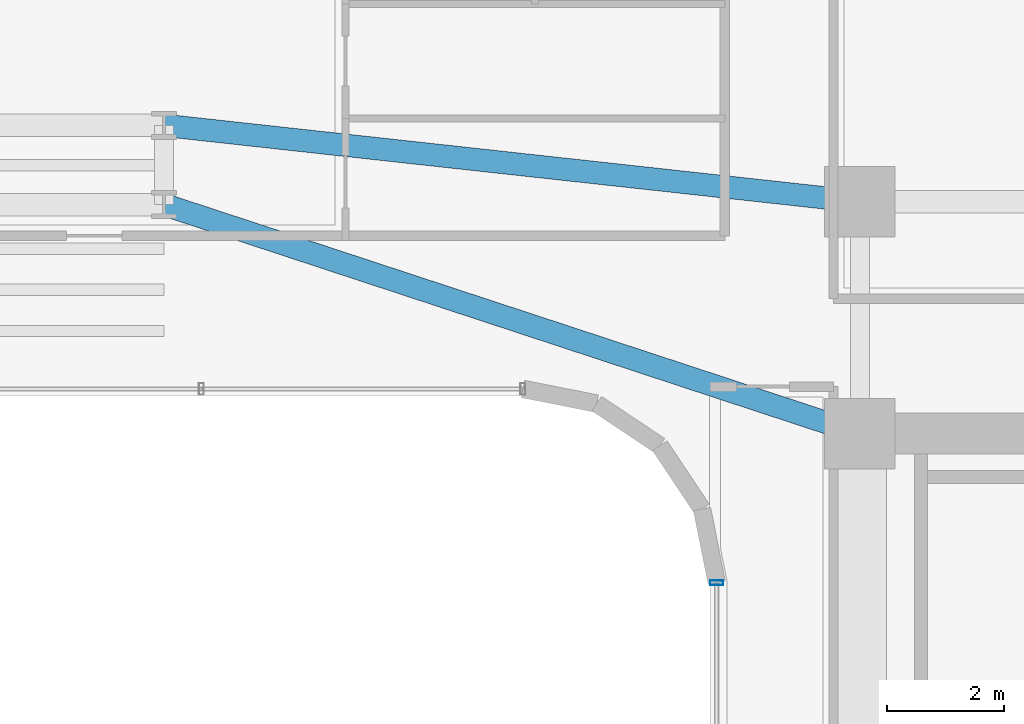
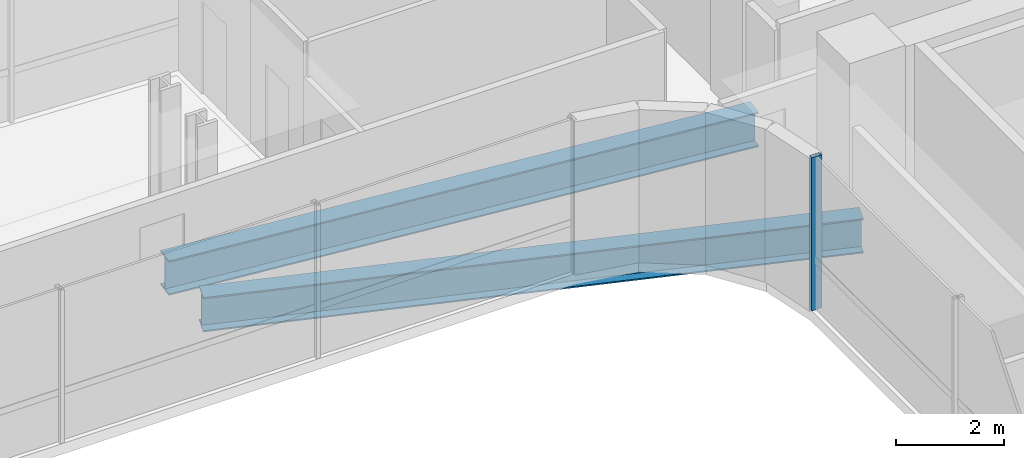
# One storey, part 15 of 35: 2 beams, 1 member, 1 element without a shape of its own.
"""IFC4 building model written with IfcOpenShell, lengths in metres."""

import ifcopenshell
import ifcopenshell.guid

model = None  # the IFC model being written
_history = None  # IfcOwnerHistory: only IFC2X3 demands one
_inside = {}  # id of a spatial element -> (the spatial element, [elements in it])
_under = {}  # id of a project, library or spatial element -> (it, [spatial elements below it])
_declared = {}  # id of a project -> (the project, [libraries it declares])
_typed = {}  # id of a type object -> (the type object, [elements of that type])
_made_of = {}  # id of a material, layer set ... -> (it, [elements and type objects made of it])


def new_model(schema):
    """Start an empty IFC model of exactly this schema.

    Asked for "IFC4X3", IfcOpenShell would pick the latest addendum, in which some entities
    have other attributes; the version numbers below select the first issue.
    IFC2X3 requires an IfcOwnerHistory on every rooted entity: one is made here for all.
    """
    global model, _history
    if schema == "IFC4X3":
        model = ifcopenshell.file(schema_version=(4, 3, 0, 0))
    else:
        model = ifcopenshell.file(schema=schema)
    _inside.clear()
    _under.clear()
    _declared.clear()
    _typed.clear()
    _made_of.clear()
    _history = None
    if model.schema == "IFC2X3":
        org = make("IfcOrganization", Name="unknown")
        user = make(
            "IfcPersonAndOrganization",
            ThePerson=make("IfcPerson", FamilyName="unknown"),
            TheOrganization=org,
        )
        app = make(
            "IfcApplication",
            ApplicationDeveloper=org,
            Version="unknown",
            ApplicationFullName="unknown",
            ApplicationIdentifier="unknown",
        )
        _history = make(
            "IfcOwnerHistory",
            OwningUser=user,
            OwningApplication=app,
            ChangeAction="ADDED",
            CreationDate=0,
        )
    return model


def make(cls, **values):
    """One entity of the class cls with the attributes given. An attribute that is None is left unset."""
    return model.create_entity(
        cls, **{name: value for name, value in values.items() if value is not None}
    )


def rooted(cls, **values):
    """An entity with a GlobalId (a new one), such as an element, a storey or a relation."""
    return make(cls, GlobalId=ifcopenshell.guid.new(), OwnerHistory=_history, **values)


def si_unit(unit_type, name, prefix=None):
    """IfcSIUnit, for example si_unit("LENGTHUNIT", "METRE", prefix="MILLI")."""
    return make("IfcSIUnit", UnitType=unit_type, Prefix=prefix, Name=name)


def assignment(units):
    """IfcUnitAssignment: the units of a project."""
    return None if units is None else make("IfcUnitAssignment", Units=units)


def point(xyz):
    """IfcCartesianPoint."""
    return None if xyz is None else make("IfcCartesianPoint", Coordinates=xyz)


def direction(xyz):
    """IfcDirection."""
    return None if xyz is None else make("IfcDirection", DirectionRatios=xyz)


def frame(location, z_axis=None, x_axis=None):
    """IfcAxis2Placement3D, a coordinate frame: its origin and axes. An axis left out is left unset."""
    return make(
        "IfcAxis2Placement3D",
        Location=point(location),
        Axis=direction(z_axis),
        RefDirection=direction(x_axis),
    )


def frame_2d(location, x_axis=None):
    """IfcAxis2Placement2D, a coordinate frame in the plane: its origin and x axis."""
    return make(
        "IfcAxis2Placement2D", Location=point(location), RefDirection=direction(x_axis)
    )


def origin():
    """The frame at (0, 0, 0) with its axes left unset."""
    return frame((0.0, 0.0, 0.0))


def origin_2d():
    """The frame at (0, 0) in the plane with its x axis left unset."""
    return frame_2d((0.0, 0.0))


def place(relative_to, where):
    """IfcLocalPlacement: puts the frame where relative to a parent placement (None: the world)."""
    return make(
        "IfcLocalPlacement", PlacementRelTo=relative_to, RelativePlacement=where
    )


def context(
    kind, dimensions, precision=None, world=None, true_north=None, identifier=None
):
    """IfcGeometricRepresentationContext, for example the 3D "Model" context."""
    return make(
        "IfcGeometricRepresentationContext",
        ContextIdentifier=identifier,
        ContextType=kind,
        CoordinateSpaceDimension=dimensions,
        Precision=precision,
        WorldCoordinateSystem=world,
        TrueNorth=true_north,
    )


def subcontext(parent, identifier, kind, view, scale=None):
    """IfcGeometricRepresentationSubContext, for example "Body" below "Model"."""
    return make(
        "IfcGeometricRepresentationSubContext",
        ContextIdentifier=identifier,
        ContextType=kind,
        ParentContext=parent,
        TargetScale=scale,
        TargetView=view,
    )


def project(units=None, contexts=None):
    """IfcProject with its units and contexts."""
    return rooted(
        "IfcProject",
        Name="project",
        RepresentationContexts=contexts,
        UnitsInContext=assignment(units),
    )


def spatial(cls, under=None, at=None, **own):
    """A site, building, storey or space (cls), placed at a placement, below another one or the project."""
    s = rooted(cls, ObjectPlacement=at, **own)
    if under is not None:
        _under.setdefault(under.id(), (under, []))[1].append(s)
    return s


def profile(cls, at=None, kind="AREA", **sizes):
    """A parametric profile (cls). Its sizes go by their IFC names, for example OverallWidth=200.0."""
    return make(cls, ProfileType=kind, Position=at, **sizes)


def hollow_rectangle(**sizes):
    """IfcRectangleHollowProfileDef."""
    return profile("IfcRectangleHollowProfileDef", **sizes)


def i_section(**sizes):
    """IfcIShapeProfileDef."""
    return profile("IfcIShapeProfileDef", **sizes)


def extrude(swept, where, along, depth):
    """IfcExtrudedAreaSolid: the profile swept, set in the frame where, extruded along a direction by depth."""
    return make(
        "IfcExtrudedAreaSolid",
        SweptArea=swept,
        Position=where,
        ExtrudedDirection=direction(along),
        Depth=depth,
    )


def shape(context_of_items, identifier, shape_type, items):
    """IfcShapeRepresentation: the items that make up one representation, for example the "Body"."""
    return make(
        "IfcShapeRepresentation",
        ContextOfItems=context_of_items,
        RepresentationIdentifier=identifier,
        RepresentationType=shape_type,
        Items=items,
    )


def source(mapping_origin, context_of_items, identifier, shape_type, items):
    """IfcRepresentationMap: a shape defined once, which mapped items show again and again."""
    return make(
        "IfcRepresentationMap",
        MappingOrigin=mapping_origin,
        MappedRepresentation=shape(context_of_items, identifier, shape_type, items),
    )


def transform(
    local_origin,
    x_axis=None,
    y_axis=None,
    z_axis=None,
    scale=None,
    scale2=None,
    scale3=None,
    uniform=True,
):
    """IfcCartesianTransformationOperator3D, or its non-uniform kind. x_axis, y_axis, z_axis: its Axis1, 2, 3."""
    if uniform:
        return make(
            "IfcCartesianTransformationOperator3D",
            Axis1=direction(x_axis),
            Axis2=direction(y_axis),
            LocalOrigin=point(local_origin),
            Scale=scale,
            Axis3=direction(z_axis),
        )
    return make(
        "IfcCartesianTransformationOperator3DnonUniform",
        Axis1=direction(x_axis),
        Axis2=direction(y_axis),
        LocalOrigin=point(local_origin),
        Scale=scale,
        Axis3=direction(z_axis),
        Scale2=scale2,
        Scale3=scale3,
    )


def mapped(mapping_source, mapping_target):
    """IfcMappedItem: shows the shape of a source again, moved by a transform."""
    return make(
        "IfcMappedItem", MappingSource=mapping_source, MappingTarget=mapping_target
    )


def material(Name=None, Category=None):
    """IfcMaterial."""
    return make("IfcMaterial", Name=Name, Category=Category)


def material_profile(
    of_material, cross_section, Name=None, Category=None, Priority=None
):
    """IfcMaterialProfile: a cross section and its material."""
    return make(
        "IfcMaterialProfile",
        Name=Name,
        Material=of_material,
        Profile=cross_section,
        Priority=Priority,
        Category=Category,
    )


def profile_set(profiles, Name=None, composite=None):
    """IfcMaterialProfileSet."""
    return make(
        "IfcMaterialProfileSet",
        Name=Name,
        MaterialProfiles=profiles,
        CompositeProfile=composite,
    )


def made_of(thing, what):
    """Note that an element or type object is made of a material, layer set ...; save() writes the relation."""
    if what is not None:
        _made_of.setdefault(what.id(), (what, []))[1].append(thing)
    return thing


def type_object(cls, material=None, **own):
    """A type object (cls), such as IfcWallType, which elements share."""
    return made_of(rooted(cls, **own), material)


def element(
    cls,
    number,
    at=None,
    inside=None,
    cuts=None,
    type_object=None,
    material=None,
    context=None,
    identifier="Body",
    shape_type=None,
    held_by="IfcProductDefinitionShape",
    body=None,
    shapes=None,
    **own,
):
    """One element of the class cls, such as IfcWall. Its Tag is "e" and its number.

    at: its placement. inside: the storey or other place that contains it. cuts: it is an
    opening in that element (IfcRelVoidsElement). A single representation is given by context,
    identifier, shape_type and body (its items); several are given by shapes. held_by: the class
    of the entity that holds the representations. save() writes the other relations.
    """
    e = rooted(cls, Tag="e%d" % number, ObjectPlacement=at, **own)
    if body is not None:
        shapes = [shape(context, identifier, shape_type, body)]
    if shapes is not None:
        e.Representation = make(held_by, Representations=shapes)
    if inside is not None:
        _inside.setdefault(inside.id(), (inside, []))[1].append(e)
    if cuts is not None:
        rooted(
            "IfcRelVoidsElement", RelatingBuildingElement=cuts, RelatedOpeningElement=e
        )
    if type_object is not None:
        _typed.setdefault(type_object.id(), (type_object, []))[1].append(e)
    return made_of(e, material)


def aggregate(whole, parts):
    """IfcRelAggregates: a whole, such as a stair, and the parts it consists of."""
    return rooted("IfcRelAggregates", RelatingObject=whole, RelatedObjects=parts)


def save(model, path):
    """Write the relations noted so far, then the file.

    IfcRelAggregates (storeys below a building ...), IfcRelContainedInSpatialStructure (elements
    in a storey), IfcRelDefinesByType, IfcRelAssociatesMaterial and IfcRelDeclares: one each for
    every whole, place, type object, material and project.
    """
    for whole, parts in _under.values():
        aggregate(whole, parts)
    for where, things in _inside.values():
        rooted(
            "IfcRelContainedInSpatialStructure",
            RelatedElements=things,
            RelatingStructure=where,
        )
    for kind, things in _typed.values():
        rooted("IfcRelDefinesByType", RelatedObjects=things, RelatingType=kind)
    for what, things in _made_of.values():
        rooted("IfcRelAssociatesMaterial", RelatedObjects=things, RelatingMaterial=what)
    for by, libraries in _declared.values():
        rooted("IfcRelDeclares", RelatingContext=by, RelatedDefinitions=libraries)
    model.write(path)


model = new_model("IFC4")

# Units and contexts
model_context = context("Model", 3, precision=1e-05, world=origin(), true_north=direction((0.0, 1.0)))
body_context = subcontext(model_context, "Body", "Model", "MODEL_VIEW")
ifc_project = project(units=[si_unit("LENGTHUNIT", "METRE"), si_unit("AREAUNIT", "SQUARE_METRE"), si_unit("VOLUMEUNIT", "CUBIC_METRE"), si_unit("PLANEANGLEUNIT", "RADIAN"), si_unit("MASSUNIT", "GRAM", prefix="KILO")], contexts=[model_context])

# Site, building, storey
site_placement = place(None, origin())
site = spatial("IfcSite", under=ifc_project, at=site_placement, CompositionType="ELEMENT")
building_placement = place(site_placement, origin())
building = spatial("IfcBuilding", under=site, at=building_placement, Name="Valdorenza Pilgrim Sanctuary Tower", CompositionType="ELEMENT")
storey_placement = place(building_placement, frame((0.0, 0.0, 105.699951171875)))
storey = spatial("IfcBuildingStorey", under=building, at=storey_placement, Name="L26", CompositionType="ELEMENT", Elevation=105.699951171875)

# Beams
ifc_material_1 = material(Name="Steel ASTM A992 Grade 50", Category="steel")
ifc_material_profile_1 = material_profile(ifc_material_1, i_section(OverallWidth=0.382080078125, OverallDepth=0.779052734375, WebThickness=0.01806640625, FlangeThickness=0.030029296875, at=origin_2d()), Name="W30X191")
ifc_profile_set_1 = profile_set([ifc_material_profile_1], Name="Steel ASTM A992 Grade 50")
beam_type = type_object("IfcBeamType", Name="STR-BM-GRD-W30", PredefinedType="BEAM", material=ifc_profile_set_1)
shared_shape_1 = source(origin(), body_context, "Body", "SweptSolid", [
    extrude(i_section(OverallWidth=0.382080078125, OverallDepth=0.779052734375, WebThickness=0.01806640625, FlangeThickness=0.030029296875, at=origin_2d()), origin(), (0.0, 0.0, 1.0), 12.475341796875),
])
beam_1_placement = place(storey_placement, frame((4.0, 13.449951171875, -0.62939453125), z_axis=(0.949881908141, -0.312608957943, 0.0), x_axis=(0.312608957943, 0.949881908141, 0.0)))
element("IfcBeam", 1, at=beam_1_placement, inside=storey, type_object=beam_type, Name="L26 Floor Girder KNK-G3", PredefinedType="BEAM", context=body_context, shape_type="MappedRepresentation", body=[
    mapped(shared_shape_1, transform((0.0, 0.0, 0.0), x_axis=(1.0, 0.0, 0.0), y_axis=(0.0, 1.0, 0.0), z_axis=(0.0, 0.0, 1.0), scale=1.0)),
])
shared_shape_2 = source(origin(), body_context, "Body", "SweptSolid", [
    extrude(i_section(OverallWidth=0.382080078125, OverallDepth=0.779052734375, WebThickness=0.01806640625, FlangeThickness=0.030029296875, at=origin_2d()), origin(), (0.0, 0.0, 1.0), 11.921142578125),
])
beam_2_placement = place(storey_placement, frame((4.0, 14.800048828125, -0.62939453125), z_axis=(0.994035876607, -0.10905354656, 0.0), x_axis=(0.10905354656, 0.994035876607, 0.0)))
element("IfcBeam", 2, at=beam_2_placement, inside=storey, type_object=beam_type, Name="L26 Floor Girder KNK-G6", PredefinedType="BEAM", context=body_context, shape_type="MappedRepresentation", body=[
    mapped(shared_shape_2, transform((0.0, 0.0, 0.0), x_axis=(1.0, 0.0, 0.0), y_axis=(0.0, 1.0, 0.0), z_axis=(0.0, 0.0, 1.0), scale=1.0)),
])

# Curtain wall, member
ifc_material_2 = material(Name="Curtain-wall IGU glazing", Category="glass")
curtain_wall_type = type_object("IfcCurtainWallType", Name="CW-SYS-03", PredefinedType="NOTDEFINED", material=ifc_material_2)
curtain_wall_placement = place(storey_placement, origin())
curtain_wall = element("IfcCurtainWall", 3, at=curtain_wall_placement, inside=storey, type_object=curtain_wall_type, Name="L26 Curtain Wall CW-L26-1-31", PredefinedType="NOTDEFINED")
ifc_material_3 = material(Name="Anodised aluminium AW-6060", Category="aluminium")
ifc_material_profile_2 = material_profile(ifc_material_3, hollow_rectangle(XDim=0.0849609375, YDim=0.219970703125, WallThickness=0.0048828125, at=origin_2d()), Name="ALU-M 220x85x5")
ifc_profile_set_2 = profile_set([ifc_material_profile_2], Name="Anodised aluminium AW-6060")
member_type = type_object("IfcMemberType", Name="CW-MUL-03", PredefinedType="MULLION", material=ifc_profile_set_2)
shared_shape_3 = source(origin(), body_context, "Body", "SweptSolid", [
    extrude(hollow_rectangle(XDim=0.0849609375, YDim=0.219970703125, WallThickness=0.0048828125, at=origin_2d()), origin(), (0.0, 0.0, 1.0), 3.4599609375),
])
member_placement = place(storey_placement, frame((13.409912109375, 7.0107421875, 0.0), z_axis=(0.0, 0.0, 1.0), x_axis=(0.0, 1.0, 0.0)))
member = element("IfcMember", 4, at=member_placement, type_object=member_type, Name="CW-L26-1-31 Mullion 4", PredefinedType="MULLION", context=body_context, shape_type="MappedRepresentation", body=[
    mapped(shared_shape_3, transform((0.0, 0.0, 0.0), x_axis=(1.0, 0.0, 0.0), y_axis=(0.0, 1.0, 0.0), z_axis=(0.0, 0.0, 1.0), scale=1.0)),
])
aggregate(curtain_wall, [member])

save(model, "model.ifc")
